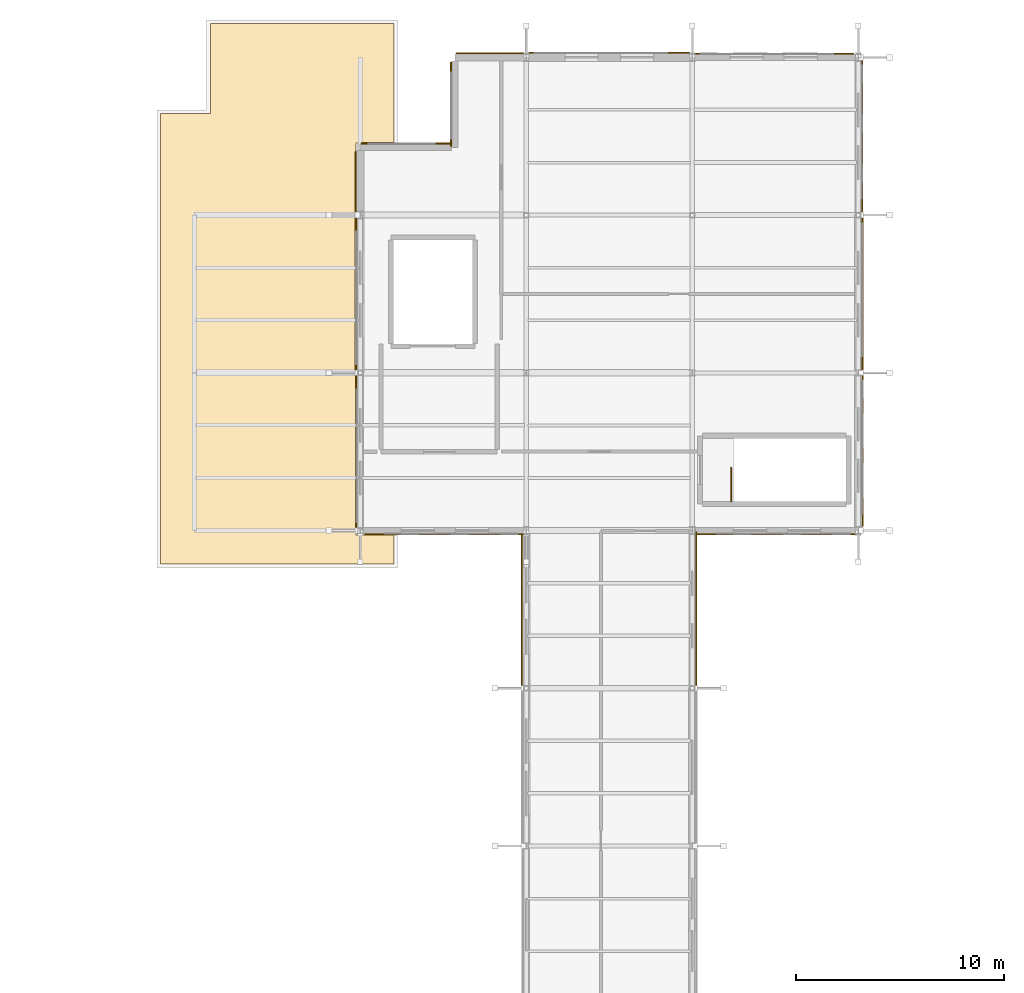
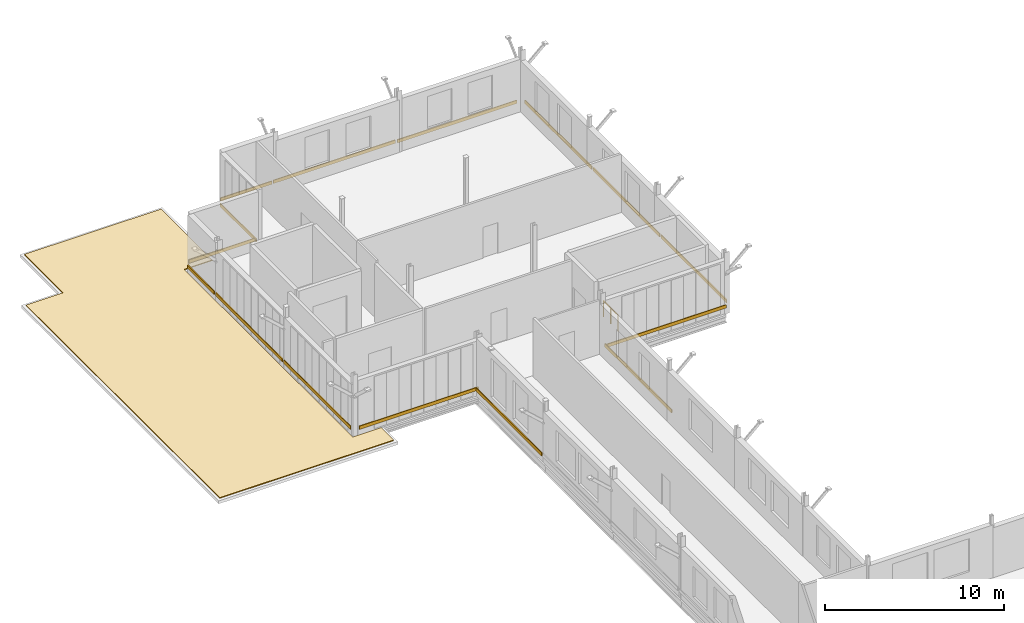
# One storey, part 97 of 101: 16 coverings, 1 railing.
"""IFC4 building model written with IfcOpenShell, lengths in metres."""

from ifc_helpers import new_model, si_unit, direction, frame, origin, origin_2d, place, context, subcontext, project, spatial, polyline, rectangle, circle, outline, extrude, material, layer, layer_set, type_object, element, save


model = new_model("IFC4")

# Units and contexts
model_context = context("Model", 3, precision=1e-05, world=origin(), true_north=direction((0.0, 1.0)))
body_context = subcontext(model_context, "Body", "Model", "MODEL_VIEW")
ifc_project = project(units=[si_unit("LENGTHUNIT", "METRE"), si_unit("AREAUNIT", "SQUARE_METRE"), si_unit("VOLUMEUNIT", "CUBIC_METRE"), si_unit("PLANEANGLEUNIT", "RADIAN"), si_unit("MASSUNIT", "GRAM", prefix="KILO")], contexts=[model_context])

# Site, building, storey
site_placement = place(None, origin())
site = spatial("IfcSite", under=ifc_project, at=site_placement, CompositionType="ELEMENT")
building_placement = place(site_placement, origin())
building = spatial("IfcBuilding", under=site, at=building_placement, Name="Vekula Escarpment Museum", CompositionType="ELEMENT")
storey_placement = place(building_placement, frame((0.0, 0.0, 18.0)))
storey = spatial("IfcBuildingStorey", under=building, at=storey_placement, Name="L04", CompositionType="ELEMENT", Elevation=18.0)

# Coverings
ifc_material_1 = material(Name="Polychrome limestone almasik string-course band", Category="masonry")
ifc_layer_1 = layer(ifc_material_1, 0.06005859375)
ifc_layer_set_1 = layer_set([ifc_layer_1], Name="Polychrome limestone almasik string-course band")
covering_type_1 = type_object("IfcCoveringType", Name="COV-ALM-BAND", PredefinedType="CLADDING", material=ifc_layer_set_1)
covering_1_placement = place(storey_placement, frame((48.18603515625, 109.39990234375, 0.41015625), z_axis=(0.0, 0.0, 1.0), x_axis=(0.0, 1.0, 0.0)))
element("IfcCovering", 1, at=covering_1_placement, inside=storey, type_object=covering_type_1, Name="Almasik Stone String Course L04-0609", PredefinedType="CLADDING", context=body_context, shape_type="SweptSolid", body=[
    extrude(rectangle(XDim=7.47998046875, YDim=0.06005859375, at=origin_2d()), origin(), (0.0, 0.0, 1.0), 0.219970703125),
])
covering_2_placement = place(storey_placement, frame((52.08203125, 113.02392578125, 0.41015625), z_axis=(0.0, 0.0, 1.0), x_axis=(1.0, 0.0, 0.0)))
element("IfcCovering", 2, at=covering_2_placement, inside=storey, type_object=covering_type_1, Name="Almasik Stone String Course L04-0610", PredefinedType="CLADDING", context=body_context, shape_type="SweptSolid", body=[
    extrude(rectangle(XDim=7.716064453125, YDim=0.06005859375, at=origin_2d()), origin(), (0.0, 0.0, 1.0), 0.219970703125),
])
covering_3_placement = place(storey_placement, frame((56.216064453125, 117.076904296875, 0.41015625), z_axis=(0.0, 0.0, 1.0), x_axis=(0.0, 1.0, 0.0)))
element("IfcCovering", 3, at=covering_3_placement, inside=storey, type_object=covering_type_1, Name="Almasik Stone String Course L04-0611", PredefinedType="CLADDING", context=body_context, shape_type="SweptSolid", body=[
    extrude(rectangle(XDim=7.325927734375, YDim=0.06005859375, at=origin_2d()), origin(), (0.0, 0.0, 1.0), 0.219970703125),
])
for number, where, z_axis, x_axis, name in (
    (4, (56.200927734375, 124.60009765625, 0.41015625), (0.0, 0.0, 1.0), (0.0, 1.0, 0.0), "Almasik Stone String Course L04-0612"),
    (5, (56.18603515625, 132.199951171875, 0.41015625), (0.0, 0.0, 1.0), (0.0, 1.0, 0.0), "Almasik Stone String Course L04-0613"),
):
    element("IfcCovering", number, at=place(storey_placement, frame(where, z_axis=z_axis, x_axis=x_axis)), inside=storey, type_object=covering_type_1, Name=name, PredefinedType="CLADDING", context=body_context, shape_type="SweptSolid", body=[
        extrude(rectangle(XDim=7.47998046875, YDim=0.06005859375, at=origin_2d()), origin(), (0.0, 0.0, 1.0), 0.219970703125),
    ])
covering_4_placement = place(storey_placement, frame((51.91796875, 136.176025390625, 0.41015625), z_axis=(0.0, 0.0, 1.0), x_axis=(1.0, 0.0, 0.0)))
element("IfcCovering", 6, at=covering_4_placement, inside=storey, type_object=covering_type_1, Name="Almasik Stone String Course L04-0614", PredefinedType="CLADDING", context=body_context, shape_type="SweptSolid", body=[
    extrude(rectangle(XDim=7.716064453125, YDim=0.06005859375, at=origin_2d()), origin(), (0.0, 0.0, 1.0), 0.219970703125),
])
covering_5_placement = place(storey_placement, frame((44.0, 136.216064453125, 0.41015625), z_axis=(0.0, 0.0, 1.0), x_axis=(1.0, 0.0, 0.0)))
element("IfcCovering", 7, at=covering_5_placement, inside=storey, type_object=covering_type_1, Name="Almasik Stone String Course L04-0615", PredefinedType="CLADDING", context=body_context, shape_type="SweptSolid", body=[
    extrude(rectangle(XDim=7.8798828125, YDim=0.06005859375, at=origin_2d()), origin(), (0.0, 0.0, 1.0), 0.219970703125),
])
covering_6_placement = place(storey_placement, frame((38.280029296875, 136.200927734375, 0.41015625), z_axis=(0.0, 0.0, 1.0), x_axis=(1.0, 0.0, 0.0)))
element("IfcCovering", 8, at=covering_6_placement, inside=storey, type_object=covering_type_1, Name="Almasik Stone String Course L04-0616", PredefinedType="CLADDING", context=body_context, shape_type="SweptSolid", body=[
    extrude(rectangle(XDim=3.320068359375, YDim=0.06005859375, at=origin_2d()), origin(), (0.0, 0.0, 1.0), 0.219970703125),
])
covering_7_placement = place(storey_placement, frame((36.3740234375, 133.744384765625, 0.41015625), z_axis=(0.0, 0.0, 1.0), x_axis=(0.0, 1.0, 0.0)))
element("IfcCovering", 9, at=covering_7_placement, inside=storey, type_object=covering_type_1, Name="Almasik Stone String Course L04-0617", PredefinedType="CLADDING", context=body_context, shape_type="SweptSolid", body=[
    extrude(rectangle(XDim=4.032958984375, YDim=0.06005859375, at=origin_2d()), origin(), (0.0, 0.0, 1.0), 0.219970703125),
])
covering_8_placement = place(storey_placement, frame((34.197998046875, 131.843994140625, 0.41015625), z_axis=(0.0, 0.0, 1.0), x_axis=(1.0, 0.0, 0.0)))
element("IfcCovering", 10, at=covering_8_placement, inside=storey, type_object=covering_type_1, Name="Almasik Stone String Course L04-0618", PredefinedType="CLADDING", context=body_context, shape_type="SweptSolid", body=[
    extrude(rectangle(XDim=4.27587890625, YDim=0.06005859375, at=origin_2d()), origin(), (0.0, 0.0, 1.0), 0.219970703125),
])
covering_9_placement = place(storey_placement, frame((31.783935546875, 129.95703125, 0.41015625), z_axis=(0.0, 0.0, 1.0), x_axis=(0.0, 1.0, 0.0)))
element("IfcCovering", 11, at=covering_9_placement, inside=storey, type_object=covering_type_1, Name="Almasik Stone String Course L04-0619", PredefinedType="CLADDING", context=body_context, shape_type="SweptSolid", body=[
    extrude(rectangle(XDim=2.993896484375, YDim=0.06005859375, at=origin_2d()), origin(), (0.0, 0.0, 1.0), 0.219970703125),
])
for number, where, z_axis, x_axis, name in (
    (12, (31.799072265625, 124.60009765625, 0.41015625), (0.0, 0.0, 1.0), (0.0, 1.0, 0.0), "Almasik Stone String Course L04-0620"),
    (13, (31.81396484375, 117.0, 0.41015625), (0.0, 0.0, 1.0), (0.0, 1.0, 0.0), "Almasik Stone String Course L04-0621"),
):
    element("IfcCovering", number, at=place(storey_placement, frame(where, z_axis=z_axis, x_axis=x_axis)), inside=storey, type_object=covering_type_1, Name=name, PredefinedType="CLADDING", context=body_context, shape_type="SweptSolid", body=[
        extrude(rectangle(XDim=7.47998046875, YDim=0.06005859375, at=origin_2d()), origin(), (0.0, 0.0, 1.0), 0.219970703125),
    ])
covering_10_placement = place(storey_placement, frame((36.08203125, 113.02392578125, 0.41015625), z_axis=(0.0, 0.0, 1.0), x_axis=(1.0, 0.0, 0.0)))
element("IfcCovering", 14, at=covering_10_placement, inside=storey, type_object=covering_type_1, Name="Almasik Stone String Course L04-0622", PredefinedType="CLADDING", context=body_context, shape_type="SweptSolid", body=[
    extrude(rectangle(XDim=7.716064453125, YDim=0.06005859375, at=origin_2d()), origin(), (0.0, 0.0, 1.0), 0.219970703125),
])
covering_11_placement = place(storey_placement, frame((39.783935546875, 109.322998046875, 0.41015625), z_axis=(0.0, 0.0, 1.0), x_axis=(0.0, 1.0, 0.0)))
element("IfcCovering", 15, at=covering_11_placement, inside=storey, type_object=covering_type_1, Name="Almasik Stone String Course L04-0623", PredefinedType="CLADDING", context=body_context, shape_type="SweptSolid", body=[
    extrude(rectangle(XDim=7.325927734375, YDim=0.06005859375, at=origin_2d()), origin(), (0.0, 0.0, 1.0), 0.219970703125),
])
ifc_material_2 = material(Name="Standing-seam patinated copper roofing", Category="metal")
ifc_layer_2 = layer(ifc_material_2, 0.06005859375)
ifc_layer_set_2 = layer_set([ifc_layer_2], Name="Standing-seam patinated copper roofing")
covering_type_2 = type_object("IfcCoveringType", Name="COV-ROOF-COPPER", PredefinedType="ROOFING", material=ifc_layer_set_2)
covering_12_placement = place(storey_placement, origin())
element("IfcCovering", 16, at=covering_12_placement, inside=storey, type_object=covering_type_2, Name="Overhanging Eave Roof Covering R-L04-V5W2", PredefinedType="ROOFING", context=body_context, shape_type="SweptSolid", body=[
    extrude(outline(polyline([(22.3798828125, 133.2880859375), (24.780029296875, 133.2880859375), (24.780029296875, 137.6201171875), (33.6201171875, 137.6201171875), (33.6201171875, 131.8779296875), (31.7900390625, 131.8779296875), (31.7900390625, 112.989990234375), (33.6201171875, 112.989990234375), (33.6201171875, 111.580078125), (22.3798828125, 111.580078125), (22.3798828125, 133.2880859375)])), origin(), (0.0, 0.0, 1.0), 0.06005859375),
])

# Railing
ifc_material_3 = material(Name="Painted Steel S355 stair guard", Category="steel")
railing_type = type_object("IfcRailingType", Name="RL-STAIR-GUARD", PredefinedType="GUARDRAIL", material=ifc_material_3)
railing_placement = place(storey_placement, frame((49.8701171875, 114.60009765625, 0.0)))
element("IfcRailing", 17, at=railing_placement, inside=storey, type_object=railing_type, Name="L04 ST-03 top well guard 1", PredefinedType="GUARDRAIL", context=body_context, shape_type="SweptSolid", body=[
    extrude(circle(Radius=0.02392578125, at=origin_2d()), frame((0.0, 0.0, 1.076171875), z_axis=(0.0, 1.0, 0.0), x_axis=(-1.0, 0.0, 0.0)), (0.0, 0.0, 1.0), 1.619873046875),
    extrude(circle(Radius=0.02099609375, at=origin_2d()), origin(), (0.0, 0.0, 1.0), 1.052001953125),
    extrude(circle(Radius=0.02099609375, at=origin_2d()), frame((0.0, 0.81005859375, 0.0)), (0.0, 0.0, 1.0), 1.052001953125),
    extrude(circle(Radius=0.02099609375, at=origin_2d()), frame((0.0, 1.619873046875, 0.0)), (0.0, 0.0, 1.0), 1.052001953125),
])

save(model, "model.ifc")
